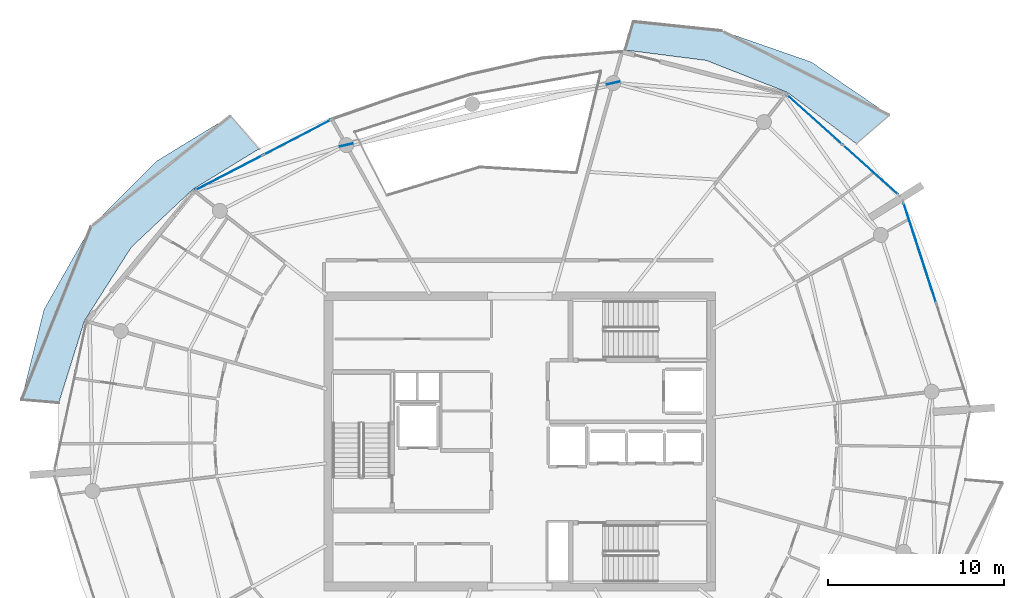
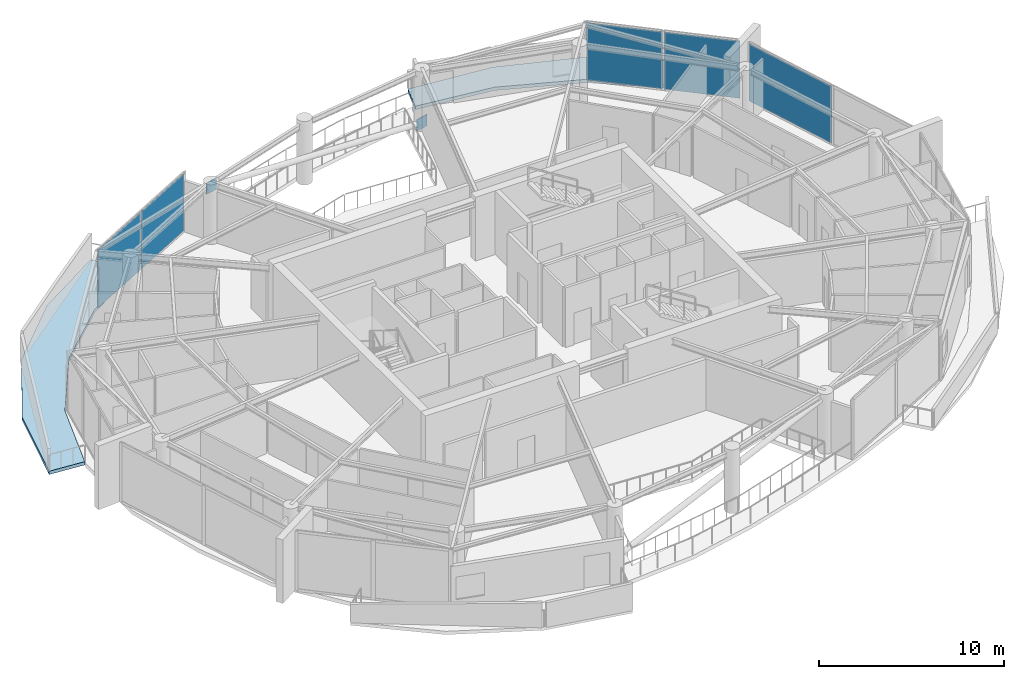
# One storey, part 12 of 22: 7 plates, 2 slabs, 3 elements without a shape of their own.
"""IFC4 building model written with IfcOpenShell, lengths in metres."""

from ifc_helpers import new_model, si_unit, direction, frame, origin, origin_2d, place, context, subcontext, project, spatial, polyline, rectangle, outline, extrude, material, layer, layer_set, type_object, element, aggregate, save


model = new_model("IFC4")

# Units and contexts
model_context = context("Model", 3, precision=1e-05, world=origin(), true_north=direction((0.0, 1.0)))
body_context = subcontext(model_context, "Body", "Model", "MODEL_VIEW")
ifc_project = project(units=[si_unit("LENGTHUNIT", "METRE"), si_unit("AREAUNIT", "SQUARE_METRE"), si_unit("VOLUMEUNIT", "CUBIC_METRE"), si_unit("PLANEANGLEUNIT", "RADIAN"), si_unit("MASSUNIT", "GRAM", prefix="KILO")], contexts=[model_context])

# Site, building, storey
site_placement = place(None, origin())
site = spatial("IfcSite", under=ifc_project, at=site_placement, CompositionType="ELEMENT")
building_placement = place(site_placement, origin())
building = spatial("IfcBuilding", under=site, at=building_placement, Name="Kazma Halo Residences", CompositionType="ELEMENT")
storey_placement = place(building_placement, frame((0.0, 0.0, 330.5)))
storey = spatial("IfcBuildingStorey", under=building, at=storey_placement, Name="L83", CompositionType="ELEMENT", Elevation=330.5)

# Curtain wall, plates
ifc_material_1 = material(Name="Aluminium AW-6063 T6 and Triple-Silver Low-E Glass", Category="aluminium")
ifc_layer_1 = layer(ifc_material_1, 0.239990234375)
ifc_layer_set_1 = layer_set([ifc_layer_1], Name="Aluminium AW-6063 T6 and Triple-Silver Low-E Glass")
curtain_wall_type = type_object("IfcCurtainWallType", Name="CW-SYS-6", PredefinedType="NOTDEFINED", material=ifc_layer_set_1)
curtain_wall_1_placement = place(storey_placement, origin())
curtain_wall_1 = element("IfcCurtainWall", 1, at=curtain_wall_1_placement, inside=storey, type_object=curtain_wall_type, Name="L83 unitised curtain wall B01", PredefinedType="NOTDEFINED")
ifc_material_2 = material(Name="Clear Triple-Silver Low-E Glass IGU", Category="glass")
ifc_layer_2 = layer(ifc_material_2, 0.035888671875)
ifc_layer_set_2 = layer_set([ifc_layer_2], Name="Clear Triple-Silver Low-E Glass IGU")
plate_type_1 = type_object("IfcPlateType", Name="CW-SYS-6-PNL", PredefinedType="CURTAIN_PANEL", material=ifc_layer_set_2)
plate_1_placement = place(storey_placement, frame((68.37646484375, 57.44189453125, 0.080078125), z_axis=(0.0, 0.0, 1.0), x_axis=(-0.744378829791, 0.667757559118, 0.0)))
plate_1 = element("IfcPlate", 2, at=plate_1_placement, type_object=plate_type_1, Name="CWS-6 panel 1.1", PredefinedType="CURTAIN_PANEL", context=body_context, shape_type="SweptSolid", body=[
    extrude(rectangle(XDim=4.19677734375, YDim=0.035888671875, at=origin_2d()), origin(), (0.0, 0.0, 1.0), 3.780029296875),
])
plate_2_placement = place(storey_placement, frame((65.19287109375, 60.297607421875, 0.080078125), z_axis=(0.0, 0.0, 1.0), x_axis=(-0.744378829791, 0.667757559118, 0.0)))
plate_2 = element("IfcPlate", 3, at=plate_2_placement, type_object=plate_type_1, Name="CWS-6 panel 2.1", PredefinedType="CURTAIN_PANEL", context=body_context, shape_type="SweptSolid", body=[
    extrude(rectangle(XDim=4.19677734375, YDim=0.035888671875, at=origin_2d()), origin(), (0.0, 0.0, 1.0), 3.780029296875),
])
aggregate(curtain_wall_1, [plate_1, plate_2])

curtain_wall_2_placement = place(storey_placement, origin())
curtain_wall_2 = element("IfcCurtainWall", 4, at=curtain_wall_2_placement, inside=storey, type_object=curtain_wall_type, Name="L83 unitised curtain wall B05", PredefinedType="NOTDEFINED")
plate_3_placement = place(storey_placement, frame((35.77197265625, 59.286865234375, 0.080078125), z_axis=(0.0, 0.0, 1.0), x_axis=(-0.887506071618, -0.460796020861, 0.0)))
plate_3 = element("IfcPlate", 5, at=plate_3_placement, type_object=plate_type_1, Name="CWS-6 panel 1.1", PredefinedType="CURTAIN_PANEL", context=body_context, shape_type="SweptSolid", body=[
    extrude(rectangle(XDim=4.28662109375, YDim=0.035888671875, at=origin_2d()), origin(), (0.0, 0.0, 1.0), 3.780029296875),
])
plate_4_placement = place(storey_placement, frame((31.896728515625, 57.274658203125, 0.080078125), z_axis=(0.0, 0.0, 1.0), x_axis=(-0.887506071618, -0.460796020861, 0.0)))
plate_4 = element("IfcPlate", 6, at=plate_4_placement, type_object=plate_type_1, Name="CWS-6 panel 2.1", PredefinedType="CURTAIN_PANEL", context=body_context, shape_type="SweptSolid", body=[
    extrude(rectangle(XDim=4.28662109375, YDim=0.035888671875, at=origin_2d()), origin(), (0.0, 0.0, 1.0), 3.780029296875),
])
aggregate(curtain_wall_2, [plate_3, plate_4])

# Curtain wall, plate
curtain_wall_3_placement = place(storey_placement, origin())
curtain_wall_3 = element("IfcCurtainWall", 7, at=curtain_wall_3_placement, inside=storey, type_object=curtain_wall_type, Name="L83 unitised curtain wall B16", PredefinedType="NOTDEFINED")
plate_5_placement = place(storey_placement, frame((71.18408203125, 52.7255859375, 0.080078125), z_axis=(0.0, 0.0, 1.0), x_axis=(-0.309018932797, 0.951055886462, 0.0)))
plate_5 = element("IfcPlate", 8, at=plate_5_placement, type_object=plate_type_1, Name="CWS-6 panel 2.1", PredefinedType="CURTAIN_PANEL", context=body_context, shape_type="SweptSolid", body=[
    extrude(rectangle(XDim=5.99267578125, YDim=0.035888671875, at=origin_2d()), origin(), (0.0, 0.0, 1.0), 3.780029296875),
])
aggregate(curtain_wall_3, [plate_5])

# Plates
ifc_material_3 = material(Name="Steel S355", Category="steel")
ifc_layer_3 = layer(ifc_material_3, 0.0400390625)
ifc_layer_set_3 = layer_set([ifc_layer_3], Name="Steel S355")
plate_type_2 = type_object("IfcPlateType", Name="PLT-GUSSET-40", PredefinedType="SHEET", material=ifc_layer_set_3)
for number, where, z_axis, x_axis, name in (
    (9, (53.74658203125, 62.37646484375, -0.074951171875), (0.0, 0.0, 1.0), (-0.974083647521, -0.226188080216, 0.0), "L83 wind-portal lower gusset NNW"),
    (10, (38.563232421875, 58.8505859375, 3.18505859375), (0.0, 0.0, 1.0), (-0.974083647521, -0.226188080216, 0.0), "L83 wind-portal upper gusset NNW"),
):
    element("IfcPlate", number, at=place(storey_placement, frame(where, z_axis=z_axis, x_axis=x_axis)), inside=storey, type_object=plate_type_2, Name=name, PredefinedType="SHEET", context=body_context, shape_type="SweptSolid", body=[
        extrude(rectangle(XDim=0.75, YDim=0.0400390625, at=origin_2d()), origin(), (0.0, 0.0, 1.0), 0.75),
    ])

# Slabs
ifc_material_4 = material(Name="White Concrete C50/60", Category="concrete")
ifc_layer_4 = layer(ifc_material_4, 0.219970703125)
ifc_layer_set_4 = layer_set([ifc_layer_4], Name="White Concrete C50/60")
slab_type = type_object("IfcSlabType", Name="SLB-BAL-WAVE-210", PredefinedType="FLOOR", material=ifc_layer_set_4)
slab_1_placement = place(storey_placement, frame((0.0, 0.0, -0.219970703125)))
element("IfcSlab", 11, at=slab_1_placement, inside=storey, type_object=slab_type, Name="L83 NE cantilevered wave balcony slab", PredefinedType="FLOOR", context=body_context, shape_type="SweptSolid", body=[
    extrude(outline(polyline([(67.578369140625, 58.929443359375), (63.64697265625, 61.847900390625), (59.038818359375, 63.664794921875), (54.42333984375, 64.254150390625), (54.890869140625, 65.874267578125), (59.90087890625, 65.356689453125), (65.008544921875, 63.5751953125), (69.452880859375, 60.550537109375), (67.578369140625, 58.929443359375)])), origin(), (0.0, 0.0, 1.0), 0.219970703125),
])
slab_2_placement = place(storey_placement, frame((0.0, 0.0, -0.219970703125)))
element("IfcSlab", 12, at=slab_2_placement, inside=storey, type_object=slab_type, Name="L83 NW cantilevered wave balcony slab", PredefinedType="FLOOR", context=body_context, shape_type="SweptSolid", body=[
    extrude(outline(polyline([(33.61181640625, 58.639404296875), (29.82763671875, 56.325927734375), (26.335205078125, 53.038818359375), (23.675048828125, 48.8603515625), (22.2099609375, 44.188232421875), (20.090576171875, 44.3681640625), (21.377685546875, 49.50830078125), (24.037841796875, 54.20947265625), (27.77978515625, 57.9404296875), (31.988037109375, 60.517333984375), (33.61181640625, 58.639404296875)])), origin(), (0.0, 0.0, 1.0), 0.219970703125),
])

save(model, "model.ifc")
